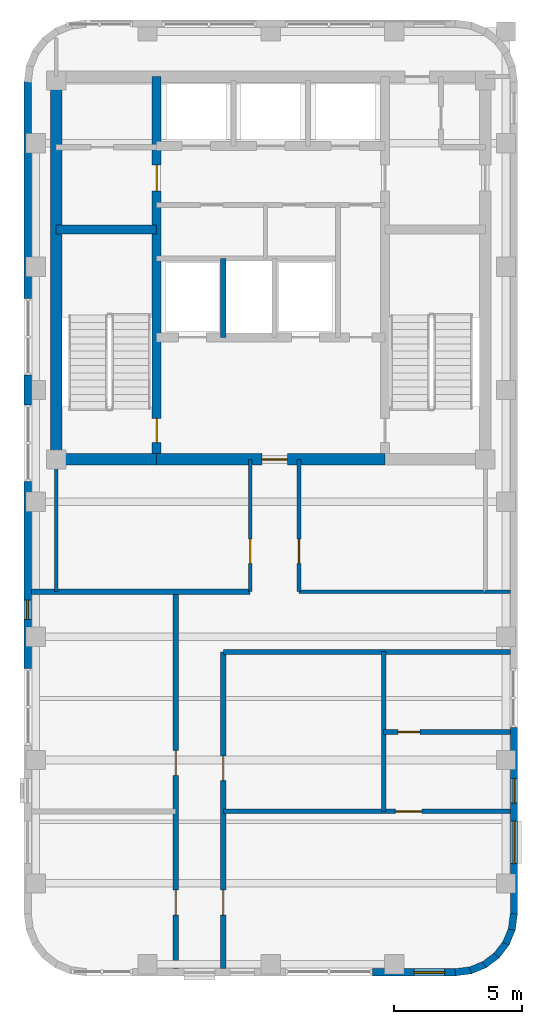
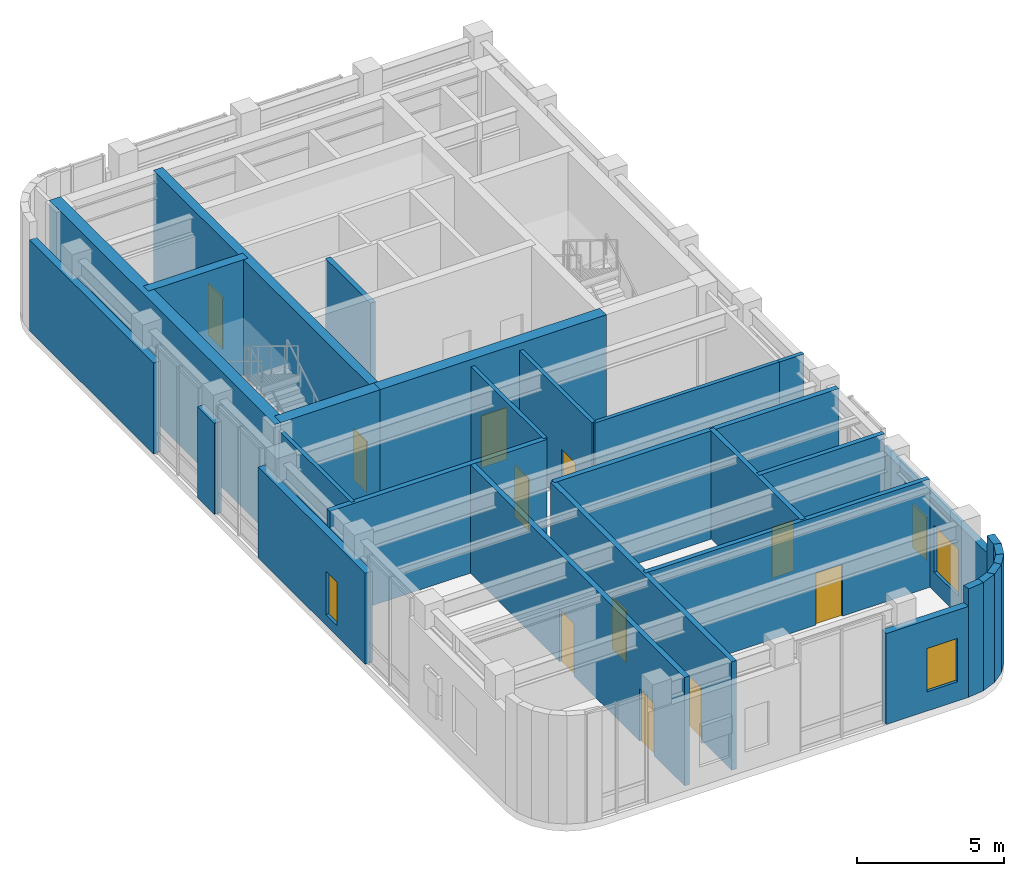
# One storey, part 4 of 8: 29 walls, 11 doors, 4 windows, 15 openings.
"""IFC4 building model written with IfcOpenShell, lengths in metres."""

from ifc_helpers import new_model, si_unit, direction, frame, frame_2d, origin, place, context, subcontext, project, spatial, rectangle, extrude, material, layer, layer_set, type_object, element, fill, save


model = new_model("IFC4")

# Units and contexts
model_context = context("Model", 3, precision=1e-05, world=origin(), true_north=direction((0.0, 1.0)))
body_context = subcontext(model_context, "Body", "Model", "MODEL_VIEW")
ifc_project = project(units=[si_unit("LENGTHUNIT", "METRE"), si_unit("AREAUNIT", "SQUARE_METRE"), si_unit("VOLUMEUNIT", "CUBIC_METRE"), si_unit("PLANEANGLEUNIT", "RADIAN"), si_unit("MASSUNIT", "GRAM", prefix="KILO")], contexts=[model_context])

# Site, building, storey
site_placement = place(None, origin())
site = spatial("IfcSite", under=ifc_project, at=site_placement, CompositionType="ELEMENT")
building_placement = place(site_placement, origin())
building = spatial("IfcBuilding", under=site, at=building_placement, Name="Orvandelia Arch Residences", CompositionType="ELEMENT")
storey_placement = place(building_placement, frame((0.0, 0.0, 291.39990234375)))
storey = spatial("IfcBuildingStorey", under=building, at=storey_placement, Name="L75", CompositionType="ELEMENT", Elevation=291.39990234375)

# Wall, openings, doors
ifc_material_1 = material(Name="Concrete C50/60", Category="concrete")
ifc_layer_1 = layer(ifc_material_1, 0.35009765625, Name="Concrete C50/60", Category="concrete")
ifc_layer_set_1 = layer_set([ifc_layer_1], Name="Concrete C50/60")
wall_type_1 = type_object("IfcWallType", Name="WL-CORE-350", PredefinedType="SHEAR", material=ifc_layer_set_1)
wall_1_placement = place(storey_placement, frame((9.9599609375, 30.89990234375, 0.0), z_axis=(0.0, 0.0, 1.0), x_axis=(0.0, 1.0, 0.0)))
wall_1 = element("IfcWall", 1, at=wall_1_placement, inside=storey, type_object=wall_type_1, Name="Core Shear Wall L75-WEB1", PredefinedType="SHEAR", context=body_context, shape_type="SweptSolid", body=[
    extrude(rectangle(XDim=14.900146484375, YDim=0.35009765625, at=frame_2d((7.4501953125, 0.0))), origin(), (0.0, 0.0, 1.0), 4.800048828125),
])
opening_1_placement = place(wall_1_placement, frame((0.64990234375, 0.0, 0.0)))
opening_1 = element("IfcOpeningElement", 2, at=opening_1_placement, cuts=wall_1, Name="Opening D7", PredefinedType="OPENING", context=body_context, shape_type="SweptSolid", body=[
    extrude(rectangle(XDim=0.949951171875, YDim=2.10009765625, at=frame_2d((0.47509765625, 1.050048828125))), frame((0.0, 0.18505859375, 0.0), z_axis=(0.0, -1.0, 0.0), x_axis=(1.0, 0.0, 0.0)), (0.0, 0.0, 1.0), 0.3701171875),
])
opening_2_placement = place(wall_1_placement, frame((10.449951171875, 0.0, 0.0)))
opening_2 = element("IfcOpeningElement", 3, at=opening_2_placement, cuts=wall_1, Name="Opening D6", PredefinedType="OPENING", context=body_context, shape_type="SweptSolid", body=[
    extrude(rectangle(XDim=1.0, YDim=2.14990234375, at=frame_2d((0.5, 1.074951171875))), frame((0.0, 0.18505859375, 0.0), z_axis=(0.0, -1.0, 0.0), x_axis=(1.0, 0.0, 0.0)), (0.0, 0.0, 1.0), 0.3701171875),
])
ifc_material_2 = material(Name="Smokeproof Painted Steel Fire Door", Category="steel")
door_type_1 = type_object("IfcDoorType", Name="DR-FD60-1000", OperationType="NOTDEFINED", PredefinedType="DOOR", material=ifc_material_2)
door_1_placement = place(opening_2_placement, origin())
door_1 = element("IfcDoor", 4, at=door_1_placement, inside=storey, type_object=door_type_1, Name="High-Rise Lift Hall West Vestibule Door L75", OperationType="SINGLE_SWING_LEFT", OverallHeight=2.14990234375, OverallWidth=1.0, PredefinedType="DOOR", context=body_context, shape_type="SweptSolid", body=[
    extrude(rectangle(XDim=1.0, YDim=2.14990234375, at=frame_2d((0.5, 1.074951171875))), frame((0.0, 0.02490234375, 0.0), z_axis=(0.0, -1.0, 0.0), x_axis=(1.0, 0.0, 0.0)), (0.0, 0.0, 1.0), 0.050048828125),
])
fill(opening_2, door_1)
ifc_material_3 = material(Name="Pressurised Stairwell Fire Door")
door_type_2 = type_object("IfcDoorType", Name="DR-STAIR-950", OperationType="NOTDEFINED", PredefinedType="DOOR", material=ifc_material_3)
door_2_placement = place(opening_1_placement, origin())
door_2 = element("IfcDoor", 5, at=door_2_placement, inside=storey, type_object=door_type_2, Name="Stairwell ST-1 Fire Door L75", OperationType="SINGLE_SWING_LEFT", OverallHeight=2.10009765625, OverallWidth=0.949951171875, PredefinedType="DOOR", context=body_context, shape_type="SweptSolid", body=[
    extrude(rectangle(XDim=0.949951171875, YDim=2.10009765625, at=frame_2d((0.47509765625, 1.050048828125))), frame((0.0, 0.02490234375, 0.0), z_axis=(0.0, -1.0, 0.0), x_axis=(1.0, 0.0, 0.0)), (0.0, 0.0, 1.0), 0.050048828125),
])
fill(opening_1, door_2)

# Walls
wall_2_placement = place(storey_placement, frame((6.050048828125, 39.85009765625, 0.0), z_axis=(0.0, 0.0, 1.0), x_axis=(1.0, 0.0, 0.0)))
element("IfcWall", 6, at=wall_2_placement, inside=storey, type_object=wall_type_1, Name="Core Shear Wall L75-HZ1", PredefinedType="SHEAR", context=body_context, shape_type="SweptSolid", body=[
    extrude(rectangle(XDim=3.909912109375, YDim=0.35009765625, at=frame_2d((1.955078125, 0.0))), origin(), (0.0, 0.0, 1.0), 4.800048828125),
])
ifc_layer_2 = layer(ifc_material_1, 0.449951171875, Name="Concrete C50/60", Category="concrete")
ifc_layer_set_2 = layer_set([ifc_layer_2], Name="Concrete C50/60")
wall_type_2 = type_object("IfcWallType", Name="WL-CORE-450", PredefinedType="SHEAR", material=ifc_layer_set_2)
wall_3_placement = place(storey_placement, frame((6.050048828125, 30.675048828125, 0.0), z_axis=(0.0, 0.0, 1.0), x_axis=(0.0, 1.0, 0.0)))
element("IfcWall", 7, at=wall_3_placement, inside=storey, type_object=wall_type_2, Name="Core Shear Wall L75-W", PredefinedType="SHEAR", context=body_context, shape_type="SweptSolid", body=[
    extrude(rectangle(XDim=15.349853515625, YDim=0.449951171875, at=frame_2d((7.6748046875, 0.0))), origin(), (0.0, 0.0, 1.0), 4.800048828125),
])
wall_4_placement = place(storey_placement, frame((6.050048828125, 30.89990234375, 0.0), z_axis=(0.0, 0.0, 1.0), x_axis=(1.0, 0.0, 0.0)))
element("IfcWall", 8, at=wall_4_placement, inside=storey, type_object=wall_type_2, Name="Core Shear Wall L75-SW", PredefinedType="SHEAR", context=body_context, shape_type="SweptSolid", body=[
    extrude(rectangle(XDim=3.909912109375, YDim=0.449951171875, at=frame_2d((1.955078125, 0.0))), origin(), (0.0, 0.0, 1.0), 4.800048828125),
])

# Wall, opening, door
wall_5_placement = place(storey_placement, frame((9.9599609375, 30.89990234375, 0.0), z_axis=(0.0, 0.0, 1.0), x_axis=(1.0, 0.0, 0.0)))
wall_5 = element("IfcWall", 9, at=wall_5_placement, inside=storey, type_object=wall_type_2, Name="Core Shear Wall L75-SM", PredefinedType="SHEAR", context=body_context, shape_type="SweptSolid", body=[
    extrude(rectangle(XDim=8.880126953125, YDim=0.449951171875, at=frame_2d((4.43994140625, 0.0))), origin(), (0.0, 0.0, 1.0), 4.800048828125),
])
opening_3_placement = place(wall_5_placement, frame((4.090087890625, 0.0, 0.0)))
opening_3 = element("IfcOpeningElement", 10, at=opening_3_placement, cuts=wall_5, Name="Opening D6", PredefinedType="OPENING", context=body_context, shape_type="SweptSolid", body=[
    extrude(rectangle(XDim=1.0, YDim=2.14990234375, at=frame_2d((0.5, 1.074951171875))), frame((0.0, 0.23486328125, 0.0), z_axis=(0.0, -1.0, 0.0), x_axis=(1.0, 0.0, 0.0)), (0.0, 0.0, 1.0), 0.469970703125),
])
door_3_placement = place(opening_3_placement, origin())
door_3 = element("IfcDoor", 11, at=door_3_placement, inside=storey, type_object=door_type_1, Name="Firefighting Lobby Smokeproof Door L75", OperationType="SINGLE_SWING_LEFT", OverallHeight=2.14990234375, OverallWidth=1.0, PredefinedType="DOOR", context=body_context, shape_type="SweptSolid", body=[
    extrude(rectangle(XDim=1.0, YDim=2.14990234375, at=frame_2d((0.5, 1.074951171875))), frame((0.0, 0.02490234375, 0.0), z_axis=(0.0, -1.0, 0.0), x_axis=(1.0, 0.0, 0.0)), (0.0, 0.0, 1.0), 0.050048828125),
])
fill(opening_3, door_3)

# Wall, openings, doors
ifc_material_4 = material(Name="Fire-Rated Corridor Partition")
ifc_layer_3 = layer(ifc_material_4, 0.199951171875, Name="Fire-Rated Corridor Partition")
ifc_layer_set_3 = layer_set([ifc_layer_3], Name="Fire-Rated Corridor Partition")
wall_type_3 = type_object("IfcWallType", Name="WL-CORR-200", PredefinedType="PARTITIONING", material=ifc_layer_set_3)
wall_6_placement = place(storey_placement, frame((10.699951171875, 11.080078125, 0.0), z_axis=(0.0, 0.0, 1.0), x_axis=(0.0, 1.0, 0.0)))
wall_6 = element("IfcWall", 12, at=wall_6_placement, inside=storey, type_object=wall_type_3, Name="Interior Partition Wall WL-L75-SKW", PredefinedType="PARTITIONING", context=body_context, shape_type="SweptSolid", body=[
    extrude(rectangle(XDim=14.669921875, YDim=0.199951171875, at=frame_2d((7.3349609375, 0.0))), origin(), (0.0, 0.0, 1.0), 4.5),
])
opening_4_placement = place(wall_6_placement, frame((7.52001953125, 0.0, 0.0)))
opening_4 = element("IfcOpeningElement", 13, at=opening_4_placement, cuts=wall_6, Name="Opening D1", PredefinedType="OPENING", context=body_context, shape_type="SweptSolid", body=[
    extrude(rectangle(XDim=0.97998046875, YDim=2.179931640625, at=frame_2d((0.489990234375, 1.08984375))), frame((0.0, 0.10986328125, 0.0), z_axis=(0.0, -1.0, 0.0), x_axis=(1.0, 0.0, 0.0)), (0.0, 0.0, 1.0), 0.219970703125),
])
opening_5_placement = place(wall_6_placement, frame((2.080078125, 0.0, 0.0)))
opening_5 = element("IfcOpeningElement", 14, at=opening_5_placement, cuts=wall_6, Name="Opening D1", PredefinedType="OPENING", context=body_context, shape_type="SweptSolid", body=[
    extrude(rectangle(XDim=0.97998046875, YDim=2.179931640625, at=frame_2d((0.489990234375, 1.08984375))), frame((0.0, 0.10986328125, 0.0), z_axis=(0.0, -1.0, 0.0), x_axis=(1.0, 0.0, 0.0)), (0.0, 0.0, 1.0), 0.219970703125),
])
ifc_material_5 = material(Name="Solid-Core Timber Acoustic Fire Door", Category="wood")
door_type_3 = type_object("IfcDoorType", Name="DR-ENT-980", OperationType="NOTDEFINED", PredefinedType="DOOR", material=ifc_material_5)
door_4_placement = place(opening_4_placement, origin())
door_4 = element("IfcDoor", 15, at=door_4_placement, inside=storey, type_object=door_type_3, Name="DR-L75-SKR", OperationType="SINGLE_SWING_LEFT", OverallHeight=2.179931640625, OverallWidth=0.97998046875, PredefinedType="DOOR", context=body_context, shape_type="SweptSolid", body=[
    extrude(rectangle(XDim=0.97998046875, YDim=2.179931640625, at=frame_2d((0.489990234375, 1.08984375))), frame((0.0, 0.02490234375, 0.0), z_axis=(0.0, -1.0, 0.0), x_axis=(1.0, 0.0, 0.0)), (0.0, 0.0, 1.0), 0.050048828125),
])
fill(opening_4, door_4)
door_5_placement = place(opening_5_placement, origin())
door_5 = element("IfcDoor", 16, at=door_5_placement, inside=storey, type_object=door_type_3, Name="DR-L75-SKO", OperationType="SINGLE_SWING_RIGHT", OverallHeight=2.179931640625, OverallWidth=0.97998046875, PredefinedType="DOOR", context=body_context, shape_type="SweptSolid", body=[
    extrude(rectangle(XDim=0.97998046875, YDim=2.179931640625, at=frame_2d((0.489990234375, 1.08984375))), frame((0.0, 0.02490234375, 0.0), z_axis=(0.0, -1.0, 0.0), x_axis=(1.0, 0.0, 0.0)), (0.0, 0.0, 1.0), 0.050048828125),
])
fill(opening_5, door_5)

wall_7_placement = place(storey_placement, frame((12.550048828125, 11.080078125, 0.0), z_axis=(0.0, 0.0, 1.0), x_axis=(0.0, 1.0, 0.0)))
wall_7 = element("IfcWall", 17, at=wall_7_placement, inside=storey, type_object=wall_type_3, Name="Interior Partition Wall WL-L75-SKE", PredefinedType="PARTITIONING", context=body_context, shape_type="SweptSolid", body=[
    extrude(rectangle(XDim=12.31982421875, YDim=0.199951171875, at=frame_2d((6.159912109375, 0.0))), origin(), (0.0, 0.0, 1.0), 4.5),
])
opening_6_placement = place(wall_7_placement, frame((2.080078125, 0.0, 0.0)))
opening_6 = element("IfcOpeningElement", 18, at=opening_6_placement, cuts=wall_7, Name="Opening D1", PredefinedType="OPENING", context=body_context, shape_type="SweptSolid", body=[
    extrude(rectangle(XDim=0.97998046875, YDim=2.179931640625, at=frame_2d((0.489990234375, 1.08984375))), frame((0.0, 0.10986328125, 0.0), z_axis=(0.0, -1.0, 0.0), x_axis=(1.0, 0.0, 0.0)), (0.0, 0.0, 1.0), 0.219970703125),
])
opening_7_placement = place(wall_7_placement, frame((7.320068359375, 0.0, 0.0)))
opening_7 = element("IfcOpeningElement", 19, at=opening_7_placement, cuts=wall_7, Name="Opening D2", PredefinedType="OPENING", context=body_context, shape_type="SweptSolid", body=[
    extrude(rectangle(XDim=0.949951171875, YDim=2.14990234375, at=frame_2d((0.47509765625, 1.074951171875))), frame((0.0, 0.10986328125, 0.0), z_axis=(0.0, -1.0, 0.0), x_axis=(1.0, 0.0, 0.0)), (0.0, 0.0, 1.0), 0.219970703125),
])
ifc_material_6 = material(Name="Solid-Core Timber Interior Fire Door", Category="wood")
door_type_4 = type_object("IfcDoorType", Name="DR-APT-950", OperationType="NOTDEFINED", PredefinedType="DOOR", material=ifc_material_6)
door_6_placement = place(opening_7_placement, origin())
door_6 = element("IfcDoor", 20, at=door_6_placement, inside=storey, type_object=door_type_4, Name="DR-L75-SKK", OperationType="SINGLE_SWING_RIGHT", OverallHeight=2.14990234375, OverallWidth=0.949951171875, PredefinedType="DOOR", context=body_context, shape_type="SweptSolid", body=[
    extrude(rectangle(XDim=0.949951171875, YDim=2.14990234375, at=frame_2d((0.47509765625, 1.074951171875))), frame((0.0, 0.02490234375, 0.0), z_axis=(0.0, -1.0, 0.0), x_axis=(1.0, 0.0, 0.0)), (0.0, 0.0, 1.0), 0.050048828125),
])
fill(opening_7, door_6)
door_7_placement = place(opening_6_placement, origin())
door_7 = element("IfcDoor", 21, at=door_7_placement, inside=storey, type_object=door_type_3, Name="DR-L75-SKD", OperationType="SINGLE_SWING_LEFT", OverallHeight=2.179931640625, OverallWidth=0.97998046875, PredefinedType="DOOR", context=body_context, shape_type="SweptSolid", body=[
    extrude(rectangle(XDim=0.97998046875, YDim=2.179931640625, at=frame_2d((0.489990234375, 1.08984375))), frame((0.0, 0.02490234375, 0.0), z_axis=(0.0, -1.0, 0.0), x_axis=(1.0, 0.0, 0.0)), (0.0, 0.0, 1.0), 0.050048828125),
])
fill(opening_6, door_7)

# Walls
wall_8_placement = place(storey_placement, frame((12.550048828125, 23.39990234375, 0.0), z_axis=(0.0, 0.0, 1.0), x_axis=(1.0, 0.0, 0.0)))
element("IfcWall", 22, at=wall_8_placement, inside=storey, type_object=wall_type_3, Name="Interior Partition Wall WL-L75-SKL75-S", PredefinedType="PARTITIONING", context=body_context, shape_type="SweptSolid", body=[
    extrude(rectangle(XDim=11.169921875, YDim=0.199951171875, at=frame_2d((5.5849609375, 0.0))), origin(), (0.0, 0.0, 1.0), 4.5),
])
wall_9_placement = place(storey_placement, frame((5.080078125, 25.75, 0.0), z_axis=(0.0, 0.0, 1.0), x_axis=(1.0, 0.0, 0.0)))
element("IfcWall", 23, at=wall_9_placement, inside=storey, type_object=wall_type_3, Name="Interior Partition Wall WL-L75-SKCLS-W", PredefinedType="PARTITIONING", context=body_context, shape_type="SweptSolid", body=[
    extrude(rectangle(XDim=8.52001953125, YDim=0.199951171875, at=frame_2d((4.260009765625, 0.0))), origin(), (0.0, 0.0, 1.0), 4.5),
])

# Wall, openings, windows
ifc_material_7 = material(Name="Precast concrete C40/50", Category="concrete")
ifc_layer_4 = layer(ifc_material_7, 0.280029296875, Name="Precast concrete C40/50", Category="concrete")
ifc_layer_set_4 = layer_set([ifc_layer_4], Name="Precast concrete C40/50")
wall_type_4 = type_object("IfcWallType", Name="WL-EXT-STONE-280", PredefinedType="STANDARD", material=ifc_layer_set_4)
wall_10_placement = place(storey_placement, frame((23.860107421875, 20.469970703125, 0.0), z_axis=(0.0, 0.0, 1.0), x_axis=(0.0, -1.0, 0.0)))
wall_10 = element("IfcWall", 24, at=wall_10_placement, inside=storey, type_object=wall_type_4, Name="Coral-Limestone Precast Facade Wall L75-017", PredefinedType="STANDARD", context=body_context, shape_type="SweptSolid", body=[
    extrude(rectangle(XDim=7.27001953125, YDim=0.280029296875, at=frame_2d((3.635009765625, 0.0))), origin(), (0.0, 0.0, 1.0), 3.780029296875),
])
opening_8_placement = place(wall_10_placement, frame((3.6474609375, 0.0, 0.800048828125)))
opening_8 = element("IfcOpeningElement", 25, at=opening_8_placement, cuts=wall_10, Name="Opening W9", PredefinedType="OPENING", context=body_context, shape_type="SweptSolid", body=[
    extrude(rectangle(XDim=1.64990234375, YDim=1.949951171875, at=frame_2d((0.824951171875, 0.97509765625))), frame((0.0, 0.14990234375, 0.0), z_axis=(0.0, -1.0, 0.0), x_axis=(1.0, 0.0, 0.0)), (0.0, 0.0, 1.0), 0.300048828125),
])
opening_9_placement = place(wall_10_placement, frame((1.992431640625, 0.0, 0.800048828125)))
opening_9 = element("IfcOpeningElement", 26, at=opening_9_placement, cuts=wall_10, Name="Opening W4", PredefinedType="OPENING", context=body_context, shape_type="SweptSolid", body=[
    extrude(rectangle(XDim=0.949951171875, YDim=1.800048828125, at=frame_2d((0.47509765625, 0.89990234375))), frame((0.0, 0.14990234375, 0.0), z_axis=(0.0, -1.0, 0.0), x_axis=(1.0, 0.0, 0.0)), (0.0, 0.0, 1.0), 0.300048828125),
])
ifc_material_8 = material(Name="Tempered Low-E Insulated Glazing", Category="glass")
window_type_1 = type_object("IfcWindowType", Name="WIN-RES-0950x1800", PartitioningType="SINGLE_PANEL", PredefinedType="WINDOW", material=ifc_material_8)
window_1_placement = place(opening_9_placement, origin())
window_1 = element("IfcWindow", 27, at=window_1_placement, inside=storey, type_object=window_type_1, Name="Recessed Punched Window L75-004", OverallHeight=1.800048828125, OverallWidth=0.949951171875, PartitioningType="SINGLE_PANEL", PredefinedType="WINDOW", context=body_context, shape_type="SweptSolid", body=[
    extrude(rectangle(XDim=0.949951171875, YDim=1.800048828125, at=frame_2d((0.47509765625, 0.89990234375))), frame((0.0, 0.030029296875, 0.0), z_axis=(0.0, -1.0, 0.0), x_axis=(1.0, 0.0, 0.0)), (0.0, 0.0, 1.0), 0.06005859375),
])
fill(opening_9, window_1)
window_type_2 = type_object("IfcWindowType", Name="WIN-UPP-1650x1950", PartitioningType="SINGLE_PANEL", PredefinedType="WINDOW", material=ifc_material_8)
window_2_placement = place(opening_8_placement, origin())
window_2 = element("IfcWindow", 28, at=window_2_placement, inside=storey, type_object=window_type_2, Name="Recessed Punched Window L75-003", OverallHeight=1.949951171875, OverallWidth=1.64990234375, PartitioningType="SINGLE_PANEL", PredefinedType="WINDOW", context=body_context, shape_type="SweptSolid", body=[
    extrude(rectangle(XDim=1.64990234375, YDim=1.949951171875, at=frame_2d((0.824951171875, 0.97509765625))), frame((0.0, 0.030029296875, 0.0), z_axis=(0.0, -1.0, 0.0), x_axis=(1.0, 0.0, 0.0)), (0.0, 0.0, 1.0), 0.06005859375),
])
fill(opening_8, window_2)

# Walls
wall_11_placement = place(storey_placement, frame((23.861083984375, 13.21826171875, 0.0), z_axis=(0.0, 0.0, 1.0), x_axis=(-0.130555323746, -0.9914410257, 0.0)))
element("IfcWall", 29, at=wall_11_placement, inside=storey, type_object=wall_type_4, Name="Coral-Limestone Precast Facade Wall L75-018", PredefinedType="STANDARD", context=body_context, shape_type="SweptSolid", body=[
    extrude(rectangle(XDim=0.62646484375, YDim=0.280029296875, at=frame_2d((0.313232421875, 0.0))), origin(), (0.0, 0.0, 1.0), 4.5),
])
wall_12_placement = place(storey_placement, frame((23.788818359375, 12.63232421875, 0.0), z_axis=(0.0, 0.0, 1.0), x_axis=(-0.382455093999, -0.923974080304, 0.0)))
element("IfcWall", 30, at=wall_12_placement, inside=storey, type_object=wall_type_4, Name="Coral-Limestone Precast Facade Wall L75-019", PredefinedType="STANDARD", context=body_context, shape_type="SweptSolid", body=[
    extrude(rectangle(XDim=0.626220703125, YDim=0.280029296875, at=frame_2d((0.31298828125, 0.0))), origin(), (0.0, 0.0, 1.0), 4.5),
])
for number, where, z_axis, x_axis, name in (
    (31, (23.5673828125, 12.085205078125, 0.0), (0.0, 0.0, 1.0), (-0.608693302629, -0.793405610854, 0.0), "Coral-Limestone Precast Facade Wall L75-020"),
    (32, (23.2119140625, 11.614013671875, 0.0), (0.0, 0.0, 1.0), (-0.793405610854, -0.608693302629, 0.0), "Coral-Limestone Precast Facade Wall L75-021"),
    (33, (22.746337890625, 11.250732421875, 0.0), (0.0, 0.0, 1.0), (-0.92389335771, -0.382650053678, 0.0), "Coral-Limestone Precast Facade Wall L75-022"),
    (34, (22.202880859375, 11.0205078125, 0.0), (0.0, 0.0, 1.0), (-0.9914410257, -0.130555323746, 0.0), "Coral-Limestone Precast Facade Wall L75-023"),
):
    element("IfcWall", number, at=place(storey_placement, frame(where, z_axis=z_axis, x_axis=x_axis)), inside=storey, type_object=wall_type_4, Name=name, PredefinedType="STANDARD", context=body_context, shape_type="SweptSolid", body=[
        extrude(rectangle(XDim=0.62646484375, YDim=0.280029296875, at=frame_2d((0.313232421875, 0.0))), origin(), (0.0, 0.0, 1.0), 4.5),
    ])

# Wall, opening, window
wall_13_placement = place(storey_placement, frame((21.60009765625, 10.93994140625, 0.0), z_axis=(0.0, 0.0, 1.0), x_axis=(-1.0, 0.0, 0.0)))
wall_13 = element("IfcWall", 35, at=wall_13_placement, inside=storey, type_object=wall_type_4, Name="Coral-Limestone Precast Facade Wall L75-024", PredefinedType="STANDARD", context=body_context, shape_type="SweptSolid", body=[
    extrude(rectangle(XDim=3.239990234375, YDim=0.280029296875, at=frame_2d((1.6201171875, 0.0))), origin(), (0.0, 0.0, 1.0), 3.780029296875),
])
opening_10_placement = place(wall_13_placement, frame((0.4326171875, 0.0, 0.800048828125)))
opening_10 = element("IfcOpeningElement", 36, at=opening_10_placement, cuts=wall_13, Name="Opening W3", PredefinedType="OPENING", context=body_context, shape_type="SweptSolid", body=[
    extrude(rectangle(XDim=1.199951171875, YDim=1.800048828125, at=frame_2d((0.60009765625, 0.89990234375))), frame((0.0, 0.14990234375, 0.0), z_axis=(0.0, -1.0, 0.0), x_axis=(1.0, 0.0, 0.0)), (0.0, 0.0, 1.0), 0.300048828125),
])
window_type_3 = type_object("IfcWindowType", Name="WIN-RES-1200x1800", PartitioningType="SINGLE_PANEL", PredefinedType="WINDOW", material=ifc_material_8)
window_3_placement = place(opening_10_placement, origin())
window_3 = element("IfcWindow", 37, at=window_3_placement, inside=storey, type_object=window_type_3, Name="Recessed Punched Window L75-005", OverallHeight=1.800048828125, OverallWidth=1.199951171875, PartitioningType="SINGLE_PANEL", PredefinedType="WINDOW", context=body_context, shape_type="SweptSolid", body=[
    extrude(rectangle(XDim=1.199951171875, YDim=1.800048828125, at=frame_2d((0.60009765625, 0.89990234375))), frame((0.0, 0.030029296875, 0.0), z_axis=(0.0, -1.0, 0.0), x_axis=(1.0, 0.0, 0.0)), (0.0, 0.0, 1.0), 0.06005859375),
])
fill(opening_10, window_3)

wall_14_placement = place(storey_placement, frame((4.93994140625, 22.760009765625, 0.0), z_axis=(0.0, 0.0, 1.0), x_axis=(0.0, 1.0, 0.0)))
wall_14 = element("IfcWall", 38, at=wall_14_placement, inside=storey, type_object=wall_type_4, Name="Coral-Limestone Precast Facade Wall L75-033", PredefinedType="STANDARD", context=body_context, shape_type="SweptSolid", body=[
    extrude(rectangle(XDim=7.280029296875, YDim=0.280029296875, at=frame_2d((3.64013671875, 0.0))), origin(), (0.0, 0.0, 1.0), 3.780029296875),
])
opening_11_placement = place(wall_14_placement, frame((1.91259765625, 0.0, 0.449951171875)))
opening_11 = element("IfcOpeningElement", 39, at=opening_11_placement, cuts=wall_14, Name="Opening W11", PredefinedType="OPENING", context=body_context, shape_type="SweptSolid", body=[
    extrude(rectangle(XDim=0.75, YDim=1.800048828125, at=frame_2d((0.375, 0.89990234375))), frame((0.0, 0.14990234375, 0.0), z_axis=(0.0, -1.0, 0.0), x_axis=(1.0, 0.0, 0.0)), (0.0, 0.0, 1.0), 0.300048828125),
])
window_type_4 = type_object("IfcWindowType", Name="WIN-BED-0750x1800", PartitioningType="SINGLE_PANEL", PredefinedType="WINDOW", material=ifc_material_8)
window_4_placement = place(opening_11_placement, origin())
window_4 = element("IfcWindow", 40, at=window_4_placement, inside=storey, type_object=window_type_4, Name="Recessed Punched Window L75-010", OverallHeight=1.800048828125, OverallWidth=0.75, PartitioningType="SINGLE_PANEL", PredefinedType="WINDOW", context=body_context, shape_type="SweptSolid", body=[
    extrude(rectangle(XDim=0.75, YDim=1.800048828125, at=frame_2d((0.375, 0.89990234375))), frame((0.0, 0.030029296875, 0.0), z_axis=(0.0, -1.0, 0.0), x_axis=(1.0, 0.0, 0.0)), (0.0, 0.0, 1.0), 0.06005859375),
])
fill(opening_11, window_4)

# Walls
wall_15_placement = place(storey_placement, frame((4.93994140625, 33.02490234375, 0.0), z_axis=(0.0, 0.0, 1.0), x_axis=(0.0, 1.0, 0.0)))
element("IfcWall", 41, at=wall_15_placement, inside=storey, type_object=wall_type_4, Name="Coral-Limestone Precast Facade Wall L75-034", PredefinedType="STANDARD", context=body_context, shape_type="SweptSolid", body=[
    extrude(rectangle(XDim=1.150146484375, YDim=0.280029296875, at=frame_2d((0.5751953125, 0.0))), origin(), (0.0, 0.0, 1.0), 3.780029296875),
])
wall_16_placement = place(storey_placement, frame((4.93994140625, 37.159912109375, 0.0), z_axis=(0.0, 0.0, 1.0), x_axis=(0.0, 1.0, 0.0)))
element("IfcWall", 42, at=wall_16_placement, inside=storey, type_object=wall_type_4, Name="Coral-Limestone Precast Facade Wall L75-035", PredefinedType="STANDARD", context=body_context, shape_type="SweptSolid", body=[
    extrude(rectangle(XDim=8.440185546875, YDim=0.280029296875, at=frame_2d((4.22021484375, 0.0))), origin(), (0.0, 0.0, 1.0), 3.780029296875),
])

# Wall, opening, door
ifc_material_9 = material(Name="Acoustic Gypsum Stud Partition")
ifc_layer_5 = layer(ifc_material_9, 0.14990234375, Name="Acoustic Gypsum Stud Partition")
ifc_layer_set_5 = layer_set([ifc_layer_5], Name="Acoustic Gypsum Stud Partition")
wall_type_5 = type_object("IfcWallType", Name="WL-PART-150", PredefinedType="PARTITIONING", material=ifc_layer_set_5)
wall_17_placement = place(storey_placement, frame((13.60009765625, 25.75, 0.0), z_axis=(0.0, 0.0, 1.0), x_axis=(0.0, 1.0, 0.0)))
wall_17 = element("IfcWall", 43, at=wall_17_placement, inside=storey, type_object=wall_type_5, Name="Interior Partition Wall WL-L75-HI-W1", PredefinedType="PARTITIONING", context=body_context, shape_type="SweptSolid", body=[
    extrude(rectangle(XDim=5.14990234375, YDim=0.14990234375, at=frame_2d((2.574951171875, 0.0))), origin(), (0.0, 0.0, 1.0), 4.5),
])
opening_12_placement = place(wall_17_placement, frame((1.10009765625, 0.0, 0.0)))
opening_12 = element("IfcOpeningElement", 44, at=opening_12_placement, cuts=wall_17, Name="Opening D2", PredefinedType="OPENING", context=body_context, shape_type="SweptSolid", body=[
    extrude(rectangle(XDim=0.949951171875, YDim=2.14990234375, at=frame_2d((0.47509765625, 1.074951171875))), frame((0.0, 0.0849609375, 0.0), z_axis=(0.0, -1.0, 0.0), x_axis=(1.0, 0.0, 0.0)), (0.0, 0.0, 1.0), 0.169921875),
])
door_8_placement = place(opening_12_placement, origin())
door_8 = element("IfcDoor", 45, at=door_8_placement, inside=storey, type_object=door_type_4, Name="DR-L75-HIR1", OperationType="SINGLE_SWING_LEFT", OverallHeight=2.14990234375, OverallWidth=0.949951171875, PredefinedType="DOOR", context=body_context, shape_type="SweptSolid", body=[
    extrude(rectangle(XDim=0.949951171875, YDim=2.14990234375, at=frame_2d((0.47509765625, 1.074951171875))), frame((0.0, 0.02490234375, 0.0), z_axis=(0.0, -1.0, 0.0), x_axis=(1.0, 0.0, 0.0)), (0.0, 0.0, 1.0), 0.050048828125),
])
fill(opening_12, door_8)

wall_18_placement = place(storey_placement, frame((15.5, 25.75, 0.0), z_axis=(0.0, 0.0, 1.0), x_axis=(0.0, 1.0, 0.0)))
wall_18 = element("IfcWall", 46, at=wall_18_placement, inside=storey, type_object=wall_type_5, Name="Interior Partition Wall WL-L75-HI-W2", PredefinedType="PARTITIONING", context=body_context, shape_type="SweptSolid", body=[
    extrude(rectangle(XDim=5.14990234375, YDim=0.14990234375, at=frame_2d((2.574951171875, 0.0))), origin(), (0.0, 0.0, 1.0), 4.5),
])
opening_13_placement = place(wall_18_placement, frame((1.10009765625, 0.0, 0.0)))
opening_13 = element("IfcOpeningElement", 47, at=opening_13_placement, cuts=wall_18, Name="Opening D2", PredefinedType="OPENING", context=body_context, shape_type="SweptSolid", body=[
    extrude(rectangle(XDim=0.949951171875, YDim=2.14990234375, at=frame_2d((0.47509765625, 1.074951171875))), frame((0.0, 0.0849609375, 0.0), z_axis=(0.0, -1.0, 0.0), x_axis=(1.0, 0.0, 0.0)), (0.0, 0.0, 1.0), 0.169921875),
])
door_9_placement = place(opening_13_placement, origin())
door_9 = element("IfcDoor", 48, at=door_9_placement, inside=storey, type_object=door_type_4, Name="DR-L75-HIR2", OperationType="SINGLE_SWING_RIGHT", OverallHeight=2.14990234375, OverallWidth=0.949951171875, PredefinedType="DOOR", context=body_context, shape_type="SweptSolid", body=[
    extrude(rectangle(XDim=0.949951171875, YDim=2.14990234375, at=frame_2d((0.47509765625, 1.074951171875))), frame((0.0, 0.02490234375, 0.0), z_axis=(0.0, -1.0, 0.0), x_axis=(1.0, 0.0, 0.0)), (0.0, 0.0, 1.0), 0.050048828125),
])
fill(opening_13, door_9)

# Walls
wall_19_placement = place(storey_placement, frame((6.050048828125, 25.75, 0.0), z_axis=(0.0, 0.0, 1.0), x_axis=(0.0, 1.0, 0.0)))
element("IfcWall", 49, at=wall_19_placement, inside=storey, type_object=wall_type_5, Name="Interior Partition Wall WL-L75-HI-WW", PredefinedType="PARTITIONING", context=body_context, shape_type="SweptSolid", body=[
    extrude(rectangle(XDim=5.14990234375, YDim=0.14990234375, at=frame_2d((2.574951171875, 0.0))), origin(), (0.0, 0.0, 1.0), 4.5),
])
wall_20_placement = place(storey_placement, frame((15.5, 25.75, 0.0), z_axis=(0.0, 0.0, 1.0), x_axis=(1.0, 0.0, 0.0)))
element("IfcWall", 50, at=wall_20_placement, inside=storey, type_object=wall_type_5, Name="Interior Partition Wall WL-L75-HI-S2", PredefinedType="PARTITIONING", context=body_context, shape_type="SweptSolid", body=[
    extrude(rectangle(XDim=7.25, YDim=0.14990234375, at=frame_2d((3.625, 0.0))), origin(), (0.0, 0.0, 1.0), 4.5),
])
wall_21_placement = place(storey_placement, frame((22.75, 25.75, 0.0), z_axis=(0.0, 0.0, 1.0), x_axis=(1.0, 0.0, 0.0)))
element("IfcWall", 51, at=wall_21_placement, inside=storey, type_object=wall_type_5, Name="Interior Partition Wall WL-L75-SE75S", PredefinedType="PARTITIONING", context=body_context, shape_type="SweptSolid", body=[
    extrude(rectangle(XDim=0.969970703125, YDim=0.14990234375, at=frame_2d((0.48486328125, 0.0))), origin(), (0.0, 0.0, 1.0), 4.5),
])
ifc_material_10 = material(Name="Fire-Rated Shaft Enclosure Wall")
ifc_layer_6 = layer(ifc_material_10, 0.199951171875, Name="Fire-Rated Shaft Enclosure Wall")
ifc_layer_set_6 = layer_set([ifc_layer_6], Name="Fire-Rated Shaft Enclosure Wall")
wall_type_6 = type_object("IfcWallType", Name="WL-SHAFT-200", PredefinedType="POLYGONAL", material=ifc_layer_set_6)
wall_22_placement = place(storey_placement, frame((12.550048828125, 35.64990234375, 0.0), z_axis=(0.0, 0.0, 1.0), x_axis=(0.0, 1.0, 0.0)))
element("IfcWall", 52, at=wall_22_placement, inside=storey, type_object=wall_type_6, Name="Interior Partition Wall WL-L75-FLM1", PredefinedType="POLYGONAL", context=body_context, shape_type="SweptSolid", body=[
    extrude(rectangle(XDim=3.070068359375, YDim=0.199951171875, at=frame_2d((1.53515625, 0.0))), origin(), (0.0, 0.0, 1.0), 4.5),
])

# Wall, opening, door
ifc_material_11 = material(Name="Moisture-Resistant Plumbing Wall")
ifc_layer_7 = layer(ifc_material_11, 0.179931640625, Name="Moisture-Resistant Plumbing Wall")
ifc_layer_set_7 = layer_set([ifc_layer_7], Name="Moisture-Resistant Plumbing Wall")
wall_type_7 = type_object("IfcWallType", Name="WL-WET-180", PredefinedType="PLUMBINGWALL", material=ifc_layer_set_7)
wall_23_placement = place(storey_placement, frame((12.550048828125, 17.199951171875, 0.0), z_axis=(0.0, 0.0, 1.0), x_axis=(1.0, 0.0, 0.0)))
wall_23 = element("IfcWall", 53, at=wall_23_placement, inside=storey, type_object=wall_type_7, Name="Interior Partition Wall WL-L75-SKD2", PredefinedType="PLUMBINGWALL", context=body_context, shape_type="SweptSolid", body=[
    extrude(rectangle(XDim=11.169921875, YDim=0.179931640625, at=frame_2d((5.5849609375, 0.0))), origin(), (0.0, 0.0, 1.0), 4.5),
])
opening_14_placement = place(wall_23_placement, frame((6.694091796875, 0.0, 0.0)))
opening_14 = element("IfcOpeningElement", 54, at=opening_14_placement, cuts=wall_23, Name="Opening D8", PredefinedType="OPENING", context=body_context, shape_type="SweptSolid", body=[
    extrude(rectangle(XDim=1.0400390625, YDim=2.14990234375, at=frame_2d((0.52001953125, 1.074951171875))), frame((0.0, 0.10009765625, 0.0), z_axis=(0.0, -1.0, 0.0), x_axis=(1.0, 0.0, 0.0)), (0.0, 0.0, 1.0), 0.199951171875),
])
ifc_material_12 = material(Name="Accessible Wide-Leaf Washroom Door")
door_type_5 = type_object("IfcDoorType", Name="DR-ACC-1040", OperationType="NOTDEFINED", PredefinedType="DOOR", material=ifc_material_12)
door_10_placement = place(opening_14_placement, origin())
door_10 = element("IfcDoor", 55, at=door_10_placement, inside=storey, type_object=door_type_5, Name="DR-L75-SKWC", OperationType="SINGLE_SWING_LEFT", OverallHeight=2.14990234375, OverallWidth=1.0400390625, PredefinedType="DOOR", context=body_context, shape_type="SweptSolid", body=[
    extrude(rectangle(XDim=1.0400390625, YDim=2.14990234375, at=frame_2d((0.52001953125, 1.074951171875))), frame((0.0, 0.02490234375, 0.0), z_axis=(0.0, -1.0, 0.0), x_axis=(1.0, 0.0, 0.0)), (0.0, 0.0, 1.0), 0.050048828125),
])
fill(opening_14, door_10)

# Wall
wall_24_placement = place(storey_placement, frame((18.7939453125, 17.199951171875, 0.0), z_axis=(0.0, 0.0, 1.0), x_axis=(0.0, 1.0, 0.0)))
element("IfcWall", 56, at=wall_24_placement, inside=storey, type_object=wall_type_7, Name="Interior Partition Wall WL-L75-SKD3", PredefinedType="PLUMBINGWALL", context=body_context, shape_type="SweptSolid", body=[
    extrude(rectangle(XDim=6.22998046875, YDim=0.179931640625, at=frame_2d((3.114990234375, 0.0))), origin(), (0.0, 0.0, 1.0), 4.5),
])

# Wall, opening, door
wall_25_placement = place(storey_placement, frame((18.7939453125, 20.2900390625, 0.0), z_axis=(0.0, 0.0, 1.0), x_axis=(1.0, 0.0, 0.0)))
wall_25 = element("IfcWall", 57, at=wall_25_placement, inside=storey, type_object=wall_type_7, Name="Interior Partition Wall WL-L75-SKD4", PredefinedType="PLUMBINGWALL", context=body_context, shape_type="SweptSolid", body=[
    extrude(rectangle(XDim=4.926025390625, YDim=0.179931640625, at=frame_2d((2.462890625, 0.0))), origin(), (0.0, 0.0, 1.0), 4.5),
])
opening_15_placement = place(wall_25_placement, frame((0.550048828125, 0.0, 0.0)))
opening_15 = element("IfcOpeningElement", 58, at=opening_15_placement, cuts=wall_25, Name="Opening D4", PredefinedType="OPENING", context=body_context, shape_type="SweptSolid", body=[
    extrude(rectangle(XDim=0.860107421875, YDim=2.10009765625, at=frame_2d((0.43017578125, 1.050048828125))), frame((0.0, 0.10009765625, 0.0), z_axis=(0.0, -1.0, 0.0), x_axis=(1.0, 0.0, 0.0)), (0.0, 0.0, 1.0), 0.199951171875),
])
ifc_material_13 = material(Name="Moisture-Sealed Timber Bathroom Door", Category="wood")
door_type_6 = type_object("IfcDoorType", Name="DR-WET-900", OperationType="NOTDEFINED", PredefinedType="DOOR", material=ifc_material_13)
door_11_placement = place(opening_15_placement, origin())
door_11 = element("IfcDoor", 59, at=door_11_placement, inside=storey, type_object=door_type_6, Name="DR-L75-SKWCP", OperationType="SINGLE_SWING_RIGHT", OverallHeight=2.10009765625, OverallWidth=0.860107421875, PredefinedType="DOOR", context=body_context, shape_type="SweptSolid", body=[
    extrude(rectangle(XDim=0.860107421875, YDim=2.10009765625, at=frame_2d((0.43017578125, 1.050048828125))), frame((0.0, 0.02490234375, 0.0), z_axis=(0.0, -1.0, 0.0), x_axis=(1.0, 0.0, 0.0)), (0.0, 0.0, 1.0), 0.050048828125),
])
fill(opening_15, door_11)

save(model, "model.ifc")
